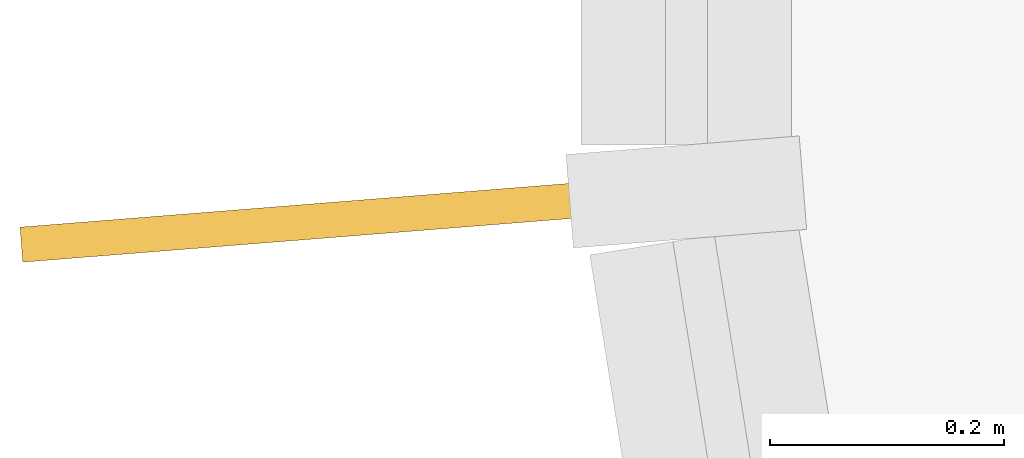
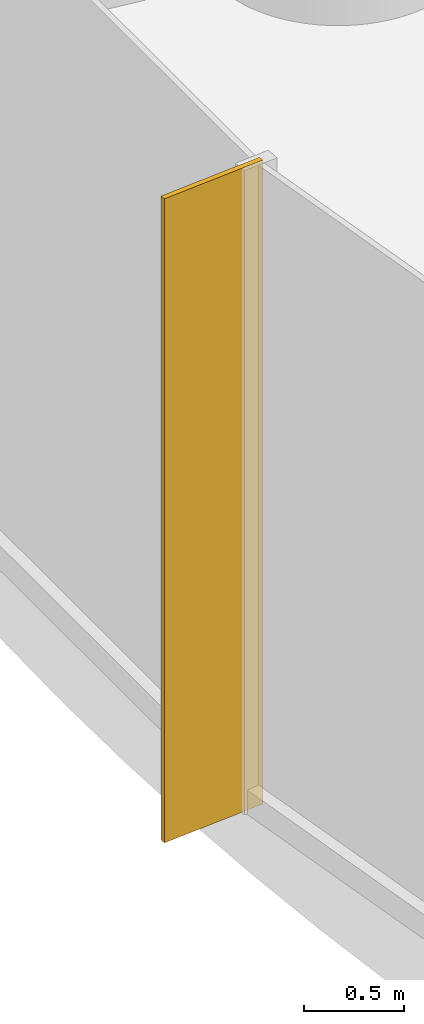
# One storey, part 17 of 19: 1 shading device.
"""IFC4 building model written with IfcOpenShell, lengths in metres."""

from ifc_helpers import new_model, si_unit, direction, frame, origin, origin_2d, place, context, subcontext, project, spatial, rectangle, extrude, source, transform, mapped, material, material_profile, profile_set, type_object, element, save


model = new_model("IFC4")

# Units and contexts
model_context = context("Model", 3, precision=1e-05, world=origin(), true_north=direction((0.0, 1.0)))
body_context = subcontext(model_context, "Body", "Model", "MODEL_VIEW")
ifc_project = project(units=[si_unit("LENGTHUNIT", "METRE"), si_unit("AREAUNIT", "SQUARE_METRE"), si_unit("VOLUMEUNIT", "CUBIC_METRE"), si_unit("PLANEANGLEUNIT", "RADIAN"), si_unit("MASSUNIT", "GRAM", prefix="KILO")], contexts=[model_context])

# Site, building, storey
site_placement = place(None, origin())
site = spatial("IfcSite", under=ifc_project, at=site_placement, CompositionType="ELEMENT")
building_placement = place(site_placement, origin())
building = spatial("IfcBuilding", under=site, at=building_placement, Name="Spindrift Exchange Tower", CompositionType="ELEMENT")
storey_placement = place(building_placement, frame((0.0, 0.0, 22.60009765625)))
storey = spatial("IfcBuildingStorey", under=building, at=storey_placement, Name="L05", CompositionType="ELEMENT", Elevation=22.60009765625)

# Shading device
ifc_material = material(Name="Bronze anodised aluminium", Category="aluminium")
ifc_material_profile = material_profile(ifc_material, rectangle(XDim=0.030029296875, YDim=0.60009765625, at=origin_2d()), Name="WIND FIN 30X600")
ifc_profile_set = profile_set([ifc_material_profile], Name="Bronze anodised aluminium")
shading_device_type = type_object("IfcShadingDeviceType", Name="WIND FIN 30X600", PredefinedType="USERDEFINED", material=ifc_profile_set)
shared_shape = source(origin(), body_context, "Body", "SweptSolid", [
    extrude(rectangle(XDim=0.030029296875, YDim=0.60009765625, at=origin_2d()), origin(), (0.0, 0.0, 1.0), 3.949951171875),
])
shading_device_placement = place(storey_placement, frame((13.453369140625, 46.16650390625, 0.0), z_axis=(0.0, 0.0, 1.0), x_axis=(0.079351657989, -0.996846685491, 0.0)))
element("IfcShadingDevice", 1, at=shading_device_placement, inside=storey, type_object=shading_device_type, Name="L05 wind fin 1", ObjectType="FIN", PredefinedType="USERDEFINED", context=body_context, shape_type="MappedRepresentation", body=[
    mapped(shared_shape, transform((0.0, 0.0, 0.0), scale=1.0)),
])

save(model, "model.ifc")
